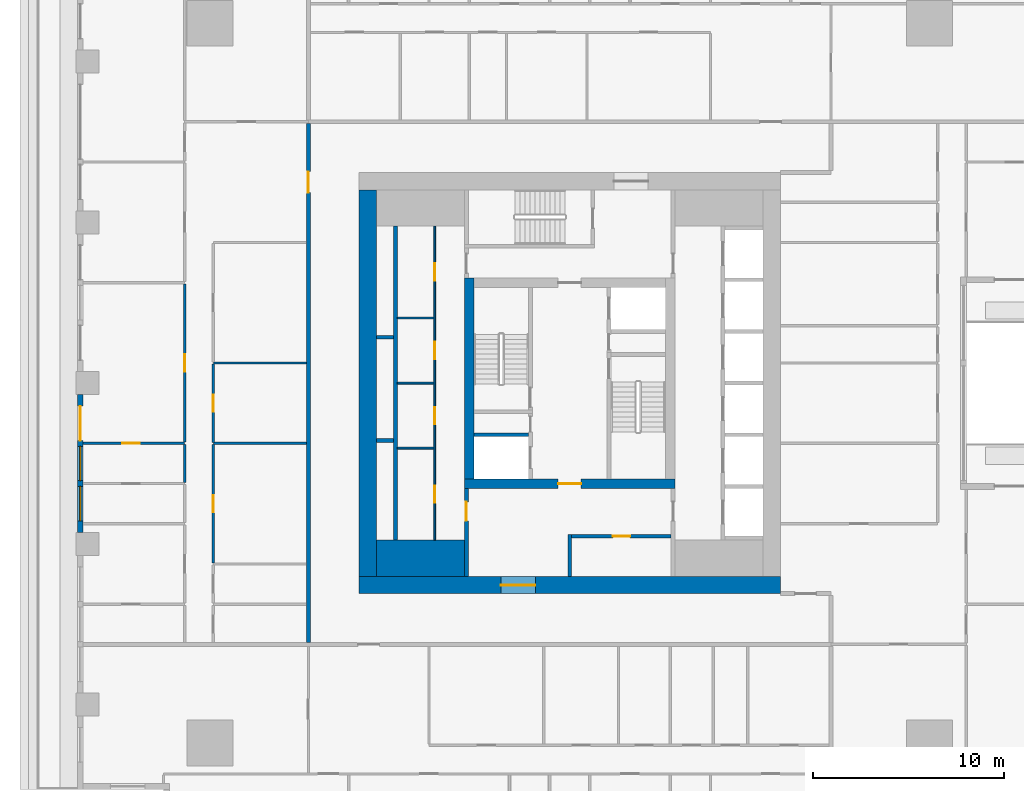
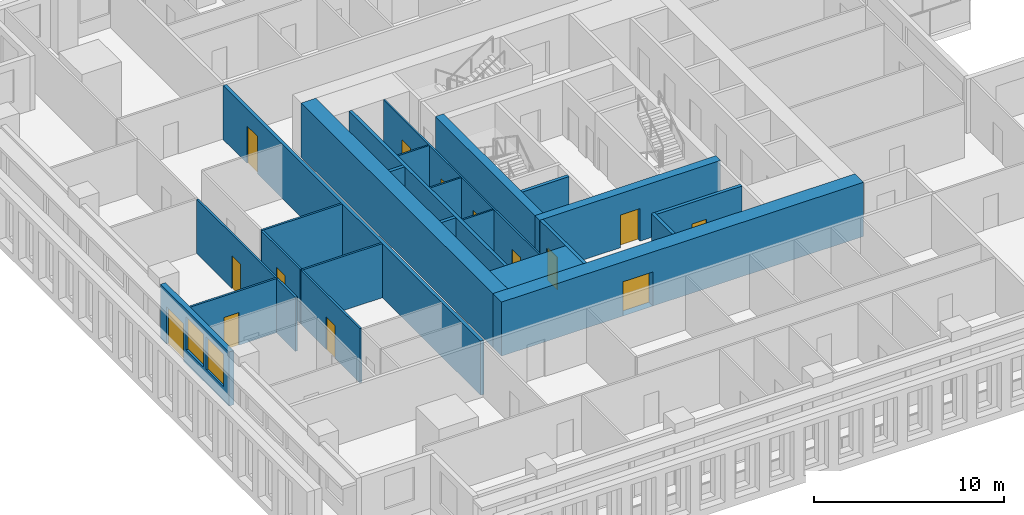
# One storey, part 3 of 15: 25 walls, 14 doors, 2 windows, 16 openings.
"""IFC4 building model written with IfcOpenShell, lengths in metres."""

from ifc_helpers import new_model, si_unit, direction, frame, frame_2d, origin, place, context, subcontext, project, spatial, rectangle, extrude, material, layer, layer_set, type_object, element, fill, save


model = new_model("IFC4")

# Units and contexts
model_context = context("Model", 3, precision=1e-05, world=origin(), true_north=direction((0.0, 1.0)))
body_context = subcontext(model_context, "Body", "Model", "MODEL_VIEW")
ifc_project = project(units=[si_unit("LENGTHUNIT", "METRE"), si_unit("AREAUNIT", "SQUARE_METRE"), si_unit("VOLUMEUNIT", "CUBIC_METRE"), si_unit("PLANEANGLEUNIT", "RADIAN"), si_unit("MASSUNIT", "GRAM", prefix="KILO")], contexts=[model_context])

# Site, building, storey
site_placement = place(None, origin())
site = spatial("IfcSite", under=ifc_project, at=site_placement, CompositionType="ELEMENT")
building_placement = place(site_placement, origin())
building = spatial("IfcBuilding", under=site, at=building_placement, Name="Khepri Terraces", CompositionType="ELEMENT")
storey_placement = place(building_placement, frame((0.0, 0.0, 196.199951171875)))
storey = spatial("IfcBuildingStorey", under=building, at=storey_placement, Name="L46", CompositionType="ELEMENT", Elevation=196.199951171875)

# Walls
ifc_material_1 = material(Name="Concrete C50/60", Category="concrete")
ifc_layer_1 = layer(ifc_material_1, 1.89990234375, Name="Concrete C50/60", Category="concrete")
ifc_layer_set_1 = layer_set([ifc_layer_1], Name="Concrete C50/60")
wall_type_1 = type_object("IfcWallType", Name="Core wall 1900 C50/60", PredefinedType="SHEAR", material=ifc_layer_set_1)
wall_1_placement = place(storey_placement, frame((-10.10009765625, -9.14990234375, 0.0), z_axis=(0.0, 0.0, 1.0), x_axis=(1.0, 0.0, 0.0)))
element("IfcWall", 1, at=wall_1_placement, inside=storey, type_object=wall_type_1, Name="Core wall PR01 L46", PredefinedType="SHEAR", context=body_context, shape_type="SweptSolid", body=[
    extrude(rectangle(XDim=4.60009765625, YDim=1.89990234375, at=frame_2d((2.300048828125, 0.0))), origin(), (0.0, 0.0, 1.0), 3.47998046875),
])
ifc_layer_2 = layer(ifc_material_1, 0.199951171875, Name="Concrete C50/60", Category="concrete")
ifc_layer_set_2 = layer_set([ifc_layer_2], Name="Concrete C50/60")
wall_type_2 = type_object("IfcWallType", Name="Core wall 200 C50/60", PredefinedType="SHEAR", material=ifc_layer_set_2)
wall_2_placement = place(storey_placement, frame((-9.10009765625, -8.199951171875, 0.0), z_axis=(0.0, 0.0, 1.0), x_axis=(0.0, 1.0, 0.0)))
element("IfcWall", 2, at=wall_2_placement, inside=storey, type_object=wall_type_2, Name="Core wall SH01 L46", PredefinedType="SHEAR", context=body_context, shape_type="SweptSolid", body=[
    extrude(rectangle(XDim=16.39990234375, YDim=0.199951171875, at=frame_2d((8.199951171875, 0.0))), origin(), (0.0, 0.0, 1.0), 3.47998046875),
])
wall_3_placement = place(storey_placement, frame((-10.10009765625, -3.0, 0.0), z_axis=(0.0, 0.0, 1.0), x_axis=(1.0, 0.0, 0.0)))
element("IfcWall", 3, at=wall_3_placement, inside=storey, type_object=wall_type_2, Name="Core wall SH06 L46", PredefinedType="SHEAR", context=body_context, shape_type="SweptSolid", body=[
    extrude(rectangle(XDim=0.900146484375, YDim=0.199951171875, at=frame_2d((0.4501953125, 0.0))), origin(), (0.0, 0.0, 1.0), 3.47998046875),
])
wall_4_placement = place(storey_placement, frame((-5.0, -2.699951171875, 0.0), z_axis=(0.0, 0.0, 1.0), x_axis=(1.0, 0.0, 0.0)))
element("IfcWall", 4, at=wall_4_placement, inside=storey, type_object=wall_type_2, Name="Core wall SH07 L46", PredefinedType="SHEAR", context=body_context, shape_type="SweptSolid", body=[
    extrude(rectangle(XDim=2.85009765625, YDim=0.199951171875, at=frame_2d((1.425048828125, 0.0))), origin(), (0.0, 0.0, 1.0), 3.47998046875),
])
wall_5_placement = place(storey_placement, frame((-10.10009765625, 2.39990234375, 0.0), z_axis=(0.0, 0.0, 1.0), x_axis=(1.0, 0.0, 0.0)))
element("IfcWall", 5, at=wall_5_placement, inside=storey, type_object=wall_type_2, Name="Core wall SH11 L46", PredefinedType="SHEAR", context=body_context, shape_type="SweptSolid", body=[
    extrude(rectangle(XDim=0.900146484375, YDim=0.199951171875, at=frame_2d((0.4501953125, 0.0))), origin(), (0.0, 0.0, 1.0), 3.47998046875),
])

# Wall, opening, door
ifc_layer_3 = layer(ifc_material_1, 0.5, Name="Concrete C50/60", Category="concrete")
ifc_layer_set_3 = layer_set([ifc_layer_3], Name="Concrete C50/60")
wall_type_3 = type_object("IfcWallType", Name="Core wall 500 C50/60", PredefinedType="SHEAR", material=ifc_layer_set_3)
wall_6_placement = place(storey_placement, frame((-5.5, -5.25, 0.0), z_axis=(0.0, 0.0, 1.0), x_axis=(1.0, 0.0, 0.0)))
wall_6 = element("IfcWall", 6, at=wall_6_placement, inside=storey, type_object=wall_type_3, Name="Core wall BX01 L46", PredefinedType="SHEAR", context=body_context, shape_type="SweptSolid", body=[
    extrude(rectangle(XDim=11.0, YDim=0.5, at=frame_2d((5.5, 0.0))), origin(), (0.0, 0.0, 1.0), 3.47998046875),
])
opening_1_placement = place(wall_6_placement, frame((4.89990234375, 0.0, 0.0)))
opening_1 = element("IfcOpeningElement", 7, at=opening_1_placement, cuts=wall_6, Name="Opening L46-C14", PredefinedType="OPENING", context=body_context, shape_type="SweptSolid", body=[
    extrude(rectangle(XDim=1.199951171875, YDim=2.10009765625, at=frame_2d((0.60009765625, 1.050048828125))), frame((0.0, 0.260009765625, 0.0), z_axis=(0.0, -1.0, 0.0), x_axis=(1.0, 0.0, 0.0)), (0.0, 0.0, 1.0), 0.52001953125),
])
ifc_material_2 = material(Name="Painted steel", Category="steel")
door_type_1 = type_object("IfcDoorType", Name="DR-CORE-FF-LOBBY-1200", OperationType="NOTDEFINED", PredefinedType="DOOR", material=ifc_material_2)
door_1_placement = place(opening_1_placement, origin())
door_1 = element("IfcDoor", 8, at=door_1_placement, inside=storey, type_object=door_type_1, Name="Firefighting lobby door L46-C14", OperationType="SINGLE_SWING_RIGHT", OverallHeight=2.10009765625, OverallWidth=1.199951171875, PredefinedType="DOOR", context=body_context, shape_type="SweptSolid", body=[
    extrude(rectangle(XDim=1.199951171875, YDim=2.10009765625, at=frame_2d((0.60009765625, 1.050048828125))), frame((0.0, 0.02490234375, 0.0), z_axis=(0.0, -1.0, 0.0), x_axis=(1.0, 0.0, 0.0)), (0.0, 0.0, 1.0), 0.050048828125),
])
fill(opening_1, door_1)

# Wall
wall_7_placement = place(storey_placement, frame((-5.25, -5.0, 0.0), z_axis=(0.0, 0.0, 1.0), x_axis=(0.0, 1.0, 0.0)))
element("IfcWall", 9, at=wall_7_placement, inside=storey, type_object=wall_type_3, Name="Core wall BX02 L46", PredefinedType="SHEAR", context=body_context, shape_type="SweptSolid", body=[
    extrude(rectangle(XDim=10.5, YDim=0.5, at=frame_2d((5.25, 0.0))), origin(), (0.0, 0.0, 1.0), 3.47998046875),
])

# Wall, opening, door
ifc_layer_4 = layer(ifc_material_1, 0.89990234375, Name="Concrete C50/60", Category="concrete")
ifc_layer_set_4 = layer_set([ifc_layer_4], Name="Concrete C50/60")
wall_type_4 = type_object("IfcWallType", Name="Core wall 900 C50/60", PredefinedType="SHEAR", material=ifc_layer_set_4)
wall_8_placement = place(storey_placement, frame((-11.0, -10.550048828125, 0.0), z_axis=(0.0, 0.0, 1.0), x_axis=(1.0, 0.0, 0.0)))
wall_8 = element("IfcWall", 10, at=wall_8_placement, inside=storey, type_object=wall_type_4, Name="Core wall OW-S L46", PredefinedType="SHEAR", context=body_context, shape_type="SweptSolid", body=[
    extrude(rectangle(XDim=22.0, YDim=0.89990234375, at=frame_2d((11.0, 0.0))), origin(), (0.0, 0.0, 1.0), 3.47998046875),
])
opening_2_placement = place(wall_8_placement, frame((7.39990234375, 0.0, 0.0)))
opening_2 = element("IfcOpeningElement", 11, at=opening_2_placement, cuts=wall_8, Name="Opening L46-C21", PredefinedType="OPENING", context=body_context, shape_type="SweptSolid", body=[
    extrude(rectangle(XDim=1.800048828125, YDim=2.199951171875, at=frame_2d((0.89990234375, 1.10009765625))), frame((0.0, 0.4599609375, 0.0), z_axis=(0.0, -1.0, 0.0), x_axis=(1.0, 0.0, 0.0)), (0.0, 0.0, 1.0), 0.919921875),
])
door_type_2 = type_object("IfcDoorType", Name="DR-CORE-ENTRANCE-1800", OperationType="NOTDEFINED", PredefinedType="DOOR", material=ifc_material_2)
door_2_placement = place(opening_2_placement, frame((1.800048828125, 0.0, 0.0), z_axis=(0.0, 0.0, 1.0), x_axis=(-1.0, 0.0, 0.0)))
door_2 = element("IfcDoor", 12, at=door_2_placement, inside=storey, type_object=door_type_2, Name="Core entrance door pair L46-C21", OperationType="DOUBLE_DOOR_SINGLE_SWING", OverallHeight=2.199951171875, OverallWidth=1.800048828125, PredefinedType="DOOR", context=body_context, shape_type="SweptSolid", body=[
    extrude(rectangle(XDim=1.800048828125, YDim=2.199951171875, at=frame_2d((0.89990234375, 1.10009765625))), frame((0.0, 0.02490234375, 0.0), z_axis=(0.0, -1.0, 0.0), x_axis=(1.0, 0.0, 0.0)), (0.0, 0.0, 1.0), 0.050048828125),
])
fill(opening_2, door_2)

# Wall
wall_9_placement = place(storey_placement, frame((-10.550048828125, -10.10009765625, 0.0), z_axis=(0.0, 0.0, 1.0), x_axis=(0.0, 1.0, 0.0)))
element("IfcWall", 13, at=wall_9_placement, inside=storey, type_object=wall_type_4, Name="Core wall OW-W L46", PredefinedType="SHEAR", context=body_context, shape_type="SweptSolid", body=[
    extrude(rectangle(XDim=20.2001953125, YDim=0.89990234375, at=frame_2d((10.10009765625, 0.0))), origin(), (0.0, 0.0, 1.0), 3.47998046875),
])

# Wall, openings, doors
ifc_material_3 = material(Name="Fire-rated gypsum board partition")
ifc_layer_5 = layer(ifc_material_3, 0.10009765625, Name="Fire-rated gypsum board partition")
ifc_layer_set_5 = layer_set([ifc_layer_5], Name="Fire-rated gypsum board partition")
wall_type_5 = type_object("IfcWallType", Name="WL-CORE-PART-100", PredefinedType="PARTITIONING", material=ifc_layer_set_5)
wall_10_placement = place(storey_placement, frame((-7.050048828125, -8.199951171875, 0.0), z_axis=(0.0, 0.0, 1.0), x_axis=(0.0, 1.0, 0.0)))
wall_10 = element("IfcWall", 14, at=wall_10_placement, inside=storey, type_object=wall_type_5, Name="Core partition PT04 L46", PredefinedType="PARTITIONING", context=body_context, shape_type="SweptSolid", body=[
    extrude(rectangle(XDim=16.39990234375, YDim=0.10009765625, at=frame_2d((8.199951171875, 0.0))), origin(), (0.0, 0.0, 1.0), 3.47998046875),
])
opening_3_placement = place(wall_10_placement, frame((1.949951171875, 0.0, 0.0)))
opening_3 = element("IfcOpeningElement", 15, at=opening_3_placement, cuts=wall_10, Name="Opening L46-C23", PredefinedType="OPENING", context=body_context, shape_type="SweptSolid", body=[
    extrude(rectangle(XDim=0.89990234375, YDim=2.10009765625, at=frame_2d((0.449951171875, 1.050048828125))), frame((0.0, 0.06005859375, 0.0), z_axis=(0.0, -1.0, 0.0), x_axis=(1.0, 0.0, 0.0)), (0.0, 0.0, 1.0), 0.1201171875),
])
opening_4_placement = place(wall_10_placement, frame((6.050048828125, 0.0, 0.0)))
opening_4 = element("IfcOpeningElement", 16, at=opening_4_placement, cuts=wall_10, Name="Opening L46-C24", PredefinedType="OPENING", context=body_context, shape_type="SweptSolid", body=[
    extrude(rectangle(XDim=0.89990234375, YDim=2.10009765625, at=frame_2d((0.449951171875, 1.050048828125))), frame((0.0, 0.06005859375, 0.0), z_axis=(0.0, -1.0, 0.0), x_axis=(1.0, 0.0, 0.0)), (0.0, 0.0, 1.0), 0.1201171875),
])
opening_5_placement = place(wall_10_placement, frame((9.449951171875, 0.0, 0.0)))
opening_5 = element("IfcOpeningElement", 17, at=opening_5_placement, cuts=wall_10, Name="Opening L46-C25", PredefinedType="OPENING", context=body_context, shape_type="SweptSolid", body=[
    extrude(rectangle(XDim=0.89990234375, YDim=2.10009765625, at=frame_2d((0.449951171875, 1.050048828125))), frame((0.0, 0.06005859375, 0.0), z_axis=(0.0, -1.0, 0.0), x_axis=(1.0, 0.0, 0.0)), (0.0, 0.0, 1.0), 0.1201171875),
])
opening_6_placement = place(wall_10_placement, frame((13.550048828125, 0.0, 0.0)))
opening_6 = element("IfcOpeningElement", 18, at=opening_6_placement, cuts=wall_10, Name="Opening L46-C26", PredefinedType="OPENING", context=body_context, shape_type="SweptSolid", body=[
    extrude(rectangle(XDim=0.89990234375, YDim=2.10009765625, at=frame_2d((0.449951171875, 1.050048828125))), frame((0.0, 0.06005859375, 0.0), z_axis=(0.0, -1.0, 0.0), x_axis=(1.0, 0.0, 0.0)), (0.0, 0.0, 1.0), 0.1201171875),
])
door_type_3 = type_object("IfcDoorType", Name="DR-CORE-SERVICE-900", OperationType="NOTDEFINED", PredefinedType="DOOR", material=ifc_material_2)
door_3_placement = place(opening_3_placement, origin())
door_3 = element("IfcDoor", 19, at=door_3_placement, inside=storey, type_object=door_type_3, Name="Service room door L46-C23", OperationType="SINGLE_SWING_LEFT", OverallHeight=2.10009765625, OverallWidth=0.89990234375, PredefinedType="DOOR", context=body_context, shape_type="SweptSolid", body=[
    extrude(rectangle(XDim=0.89990234375, YDim=2.10009765625, at=frame_2d((0.449951171875, 1.050048828125))), frame((0.0, 0.02490234375, 0.0), z_axis=(0.0, -1.0, 0.0), x_axis=(1.0, 0.0, 0.0)), (0.0, 0.0, 1.0), 0.050048828125),
])
fill(opening_3, door_3)
door_4_placement = place(opening_4_placement, origin())
door_4 = element("IfcDoor", 20, at=door_4_placement, inside=storey, type_object=door_type_3, Name="Service room door L46-C24", OperationType="SINGLE_SWING_LEFT", OverallHeight=2.10009765625, OverallWidth=0.89990234375, PredefinedType="DOOR", context=body_context, shape_type="SweptSolid", body=[
    extrude(rectangle(XDim=0.89990234375, YDim=2.10009765625, at=frame_2d((0.449951171875, 1.050048828125))), frame((0.0, 0.02490234375, 0.0), z_axis=(0.0, -1.0, 0.0), x_axis=(1.0, 0.0, 0.0)), (0.0, 0.0, 1.0), 0.050048828125),
])
fill(opening_4, door_4)
door_5_placement = place(opening_5_placement, origin())
door_5 = element("IfcDoor", 21, at=door_5_placement, inside=storey, type_object=door_type_3, Name="Service room door L46-C25", OperationType="SINGLE_SWING_RIGHT", OverallHeight=2.10009765625, OverallWidth=0.89990234375, PredefinedType="DOOR", context=body_context, shape_type="SweptSolid", body=[
    extrude(rectangle(XDim=0.89990234375, YDim=2.10009765625, at=frame_2d((0.449951171875, 1.050048828125))), frame((0.0, 0.02490234375, 0.0), z_axis=(0.0, -1.0, 0.0), x_axis=(1.0, 0.0, 0.0)), (0.0, 0.0, 1.0), 0.050048828125),
])
fill(opening_5, door_5)
door_6_placement = place(opening_6_placement, origin())
door_6 = element("IfcDoor", 22, at=door_6_placement, inside=storey, type_object=door_type_3, Name="Service room door L46-C26", OperationType="SINGLE_SWING_RIGHT", OverallHeight=2.10009765625, OverallWidth=0.89990234375, PredefinedType="DOOR", context=body_context, shape_type="SweptSolid", body=[
    extrude(rectangle(XDim=0.89990234375, YDim=2.10009765625, at=frame_2d((0.449951171875, 1.050048828125))), frame((0.0, 0.02490234375, 0.0), z_axis=(0.0, -1.0, 0.0), x_axis=(1.0, 0.0, 0.0)), (0.0, 0.0, 1.0), 0.050048828125),
])
fill(opening_6, door_6)

# Walls
for number, where, z_axis, x_axis, name in (
    (23, (-9.0, -3.39990234375, 0.0), (0.0, 0.0, 1.0), (1.0, 0.0, 0.0), "Core partition PT06 L46"),
    (24, (-9.0, 0.0, 0.0), (0.0, 0.0, 1.0), (1.0, 0.0, 0.0), "Core partition PT07 L46"),
    (25, (-9.0, 3.39990234375, 0.0), (0.0, 0.0, 1.0), (1.0, 0.0, 0.0), "Core partition PT08 L46"),
):
    element("IfcWall", number, at=place(storey_placement, frame(where, z_axis=z_axis, x_axis=x_axis)), inside=storey, type_object=wall_type_5, Name=name, PredefinedType="PARTITIONING", context=body_context, shape_type="SweptSolid", body=[
        extrude(rectangle(XDim=1.89990234375, YDim=0.10009765625, at=frame_2d((0.949951171875, 0.0))), origin(), (0.0, 0.0, 1.0), 3.47998046875),
    ])

# Wall, opening, door
ifc_layer_6 = layer(ifc_material_3, 0.199951171875, Name="Fire-rated gypsum board partition")
ifc_layer_set_6 = layer_set([ifc_layer_6], Name="Fire-rated gypsum board partition")
wall_type_6 = type_object("IfcWallType", Name="WL-CORE-PART-200", PredefinedType="PARTITIONING", material=ifc_layer_set_6)
wall_11_placement = place(storey_placement, frame((-5.39990234375, -10.10009765625, 0.0), z_axis=(0.0, 0.0, 1.0), x_axis=(0.0, 1.0, 0.0)))
wall_11 = element("IfcWall", 26, at=wall_11_placement, inside=storey, type_object=wall_type_6, Name="Core partition PT01 L46", PredefinedType="PARTITIONING", context=body_context, shape_type="SweptSolid", body=[
    extrude(rectangle(XDim=4.60009765625, YDim=0.199951171875, at=frame_2d((2.300048828125, 0.0))), origin(), (0.0, 0.0, 1.0), 3.47998046875),
])
opening_7_placement = place(wall_11_placement, frame((2.89990234375, 0.0, 0.0)))
opening_7 = element("IfcOpeningElement", 27, at=opening_7_placement, cuts=wall_11, Name="Opening L46-C18", PredefinedType="OPENING", context=body_context, shape_type="SweptSolid", body=[
    extrude(rectangle(XDim=1.0, YDim=2.10009765625, at=frame_2d((0.5, 1.050048828125))), frame((0.0, 0.10986328125, 0.0), z_axis=(0.0, -1.0, 0.0), x_axis=(1.0, 0.0, 0.0)), (0.0, 0.0, 1.0), 0.219970703125),
])
door_type_4 = type_object("IfcDoorType", Name="DR-CORE-LOBBY-1000", OperationType="NOTDEFINED", PredefinedType="DOOR", material=ifc_material_2)
door_7_placement = place(opening_7_placement, frame((1.0, 0.0, 0.0), z_axis=(0.0, 0.0, 1.0), x_axis=(-1.0, 0.0, 0.0)))
door_7 = element("IfcDoor", 28, at=door_7_placement, inside=storey, type_object=door_type_4, Name="Lobby door L46-C18", OperationType="SINGLE_SWING_LEFT", OverallHeight=2.10009765625, OverallWidth=1.0, PredefinedType="DOOR", context=body_context, shape_type="SweptSolid", body=[
    extrude(rectangle(XDim=1.0, YDim=2.10009765625, at=frame_2d((0.5, 1.050048828125))), frame((0.0, 0.02490234375, 0.0), z_axis=(0.0, -1.0, 0.0), x_axis=(1.0, 0.0, 0.0)), (0.0, 0.0, 1.0), 0.050048828125),
])
fill(opening_7, door_7)

# Wall
wall_12_placement = place(storey_placement, frame((0.0, -10.10009765625, 0.0), z_axis=(0.0, 0.0, 1.0), x_axis=(0.0, 1.0, 0.0)))
element("IfcWall", 29, at=wall_12_placement, inside=storey, type_object=wall_type_6, Name="Core partition PT02 L46", PredefinedType="PARTITIONING", context=body_context, shape_type="SweptSolid", body=[
    extrude(rectangle(XDim=2.2001953125, YDim=0.199951171875, at=frame_2d((1.10009765625, 0.0))), origin(), (0.0, 0.0, 1.0), 3.47998046875),
])

# Wall, opening, door
wall_13_placement = place(storey_placement, frame((0.10009765625, -8.0, 0.0), z_axis=(0.0, 0.0, 1.0), x_axis=(1.0, 0.0, 0.0)))
wall_13 = element("IfcWall", 30, at=wall_13_placement, inside=storey, type_object=wall_type_6, Name="Core partition PT05 L46", PredefinedType="PARTITIONING", context=body_context, shape_type="SweptSolid", body=[
    extrude(rectangle(XDim=5.199951171875, YDim=0.199951171875, at=frame_2d((2.60009765625, 0.0))), origin(), (0.0, 0.0, 1.0), 3.47998046875),
])
opening_8_placement = place(wall_13_placement, frame((2.14990234375, 0.0, 0.0)))
opening_8 = element("IfcOpeningElement", 31, at=opening_8_placement, cuts=wall_13, Name="Opening L46-C22", PredefinedType="OPENING", context=body_context, shape_type="SweptSolid", body=[
    extrude(rectangle(XDim=0.89990234375, YDim=2.10009765625, at=frame_2d((0.449951171875, 1.050048828125))), frame((0.0, 0.10986328125, 0.0), z_axis=(0.0, -1.0, 0.0), x_axis=(1.0, 0.0, 0.0)), (0.0, 0.0, 1.0), 0.219970703125),
])
door_8_placement = place(opening_8_placement, frame((0.89990234375, 0.0, 0.0), z_axis=(0.0, 0.0, 1.0), x_axis=(-1.0, 0.0, 0.0)))
door_8 = element("IfcDoor", 32, at=door_8_placement, inside=storey, type_object=door_type_3, Name="Service room door L46-C22", OperationType="SINGLE_SWING_LEFT", OverallHeight=2.10009765625, OverallWidth=0.89990234375, PredefinedType="DOOR", context=body_context, shape_type="SweptSolid", body=[
    extrude(rectangle(XDim=0.89990234375, YDim=2.10009765625, at=frame_2d((0.449951171875, 1.050048828125))), frame((0.0, 0.02490234375, 0.0), z_axis=(0.0, -1.0, 0.0), x_axis=(1.0, 0.0, 0.0)), (0.0, 0.0, 1.0), 0.050048828125),
])
fill(opening_8, door_8)

ifc_material_4 = material(Name="Fire-rated gypsum plasterboard partition, mineral wool")
ifc_layer_7 = layer(ifc_material_4, 0.199951171875, Name="Fire-rated gypsum plasterboard partition, mineral wool")
ifc_layer_set_7 = layer_set([ifc_layer_7], Name="Fire-rated gypsum plasterboard partition, mineral wool")
wall_type_7 = type_object("IfcWallType", Name="WL-CORR-200", PredefinedType="PARTITIONING", material=ifc_layer_set_7)
wall_14_placement = place(storey_placement, frame((-13.64990234375, -13.550048828125, 0.0), z_axis=(0.0, 0.0, 1.0), x_axis=(0.0, 1.0, 0.0)))
wall_14 = element("IfcWall", 33, at=wall_14_placement, inside=storey, type_object=wall_type_7, Name="Partition P-025 L46", PredefinedType="PARTITIONING", context=body_context, shape_type="SweptSolid", body=[
    extrude(rectangle(XDim=27.10009765625, YDim=0.199951171875, at=frame_2d((13.550048828125, 0.0))), origin(), (0.0, 0.0, 1.0), 3.47998046875),
])
opening_9_placement = place(wall_14_placement, frame((23.5, 0.0, 0.0)))
opening_9 = element("IfcOpeningElement", 34, at=opening_9_placement, cuts=wall_14, Name="Opening D1", PredefinedType="OPENING", context=body_context, shape_type="SweptSolid", body=[
    extrude(rectangle(XDim=1.10009765625, YDim=2.39990234375, at=frame_2d((0.550048828125, 1.199951171875))), frame((0.0, 0.10986328125, 0.0), z_axis=(0.0, -1.0, 0.0), x_axis=(1.0, 0.0, 0.0)), (0.0, 0.0, 1.0), 0.219970703125),
])
ifc_material_5 = material(Name="Solid-core timber door leaf, flat entrance door", Category="wood")
door_type_5 = type_object("IfcDoorType", Name="DR-ENT-1100", OperationType="NOTDEFINED", PredefinedType="DOOR", material=ifc_material_5)
door_9_placement = place(opening_9_placement, origin())
door_9 = element("IfcDoor", 35, at=door_9_placement, inside=storey, type_object=door_type_5, Name="Flat D1 entrance door", OperationType="SINGLE_SWING_RIGHT", OverallHeight=2.39990234375, OverallWidth=1.10009765625, PredefinedType="DOOR", context=body_context, shape_type="SweptSolid", body=[
    extrude(rectangle(XDim=1.10009765625, YDim=2.39990234375, at=frame_2d((0.550048828125, 1.199951171875))), frame((0.0, 0.02490234375, 0.0), z_axis=(0.0, -1.0, 0.0), x_axis=(1.0, 0.0, 0.0)), (0.0, 0.0, 1.0), 0.050048828125),
])
fill(opening_9, door_9)

# Wall, openings, door, windows
ifc_material_6 = material(Name="Precast concrete C50/60 warm stone", Category="masonry")
ifc_layer_8 = layer(ifc_material_6, 0.300048828125, Name="Precast concrete C50/60 warm stone", Category="masonry")
ifc_layer_set_8 = layer_set([ifc_layer_8], Name="Precast concrete C50/60 warm stone")
wall_type_8 = type_object("IfcWallType", Name="WL-EXT-PRECAST-300", PredefinedType="STANDARD", material=ifc_layer_set_8)
wall_15_placement = place(storey_placement, frame((-25.570068359375, -0.60009765625, 0.0), z_axis=(0.0, 0.0, 1.0), x_axis=(0.0, -1.0, 0.0)))
wall_15 = element("IfcWall", 36, at=wall_15_placement, inside=storey, type_object=wall_type_8, Name="External wall L46 W", PredefinedType="STANDARD", context=body_context, shape_type="SweptSolid", body=[
    extrude(rectangle(XDim=7.199951171875, YDim=0.300048828125, at=frame_2d((3.60009765625, 0.0))), origin(), (0.0, 0.0, 1.0), 3.47998046875),
])
opening_10_placement = place(wall_15_placement, frame((0.60009765625, 0.0, 0.0)))
opening_10 = element("IfcOpeningElement", 37, at=opening_10_placement, cuts=wall_15, Name="Opening ED-L46-16", PredefinedType="OPENING", context=body_context, shape_type="SweptSolid", body=[
    extrude(rectangle(XDim=1.800048828125, YDim=2.39990234375, at=frame_2d((0.89990234375, 1.199951171875))), frame((0.0, 0.16015625, 0.0), z_axis=(0.0, -1.0, 0.0), x_axis=(1.0, 0.0, 0.0)), (0.0, 0.0, 1.0), 0.320068359375),
])
opening_11_placement = place(wall_15_placement, frame((2.699951171875, 0.0, 0.89990234375)))
opening_11 = element("IfcOpeningElement", 38, at=opening_11_placement, cuts=wall_15, Name="Opening W1", PredefinedType="OPENING", context=body_context, shape_type="SweptSolid", body=[
    extrude(rectangle(XDim=1.800048828125, YDim=2.10009765625, at=frame_2d((0.89990234375, 1.050048828125))), frame((0.0, 0.16015625, 0.0), z_axis=(0.0, -1.0, 0.0), x_axis=(1.0, 0.0, 0.0)), (0.0, 0.0, 1.0), 0.320068359375),
])
opening_12_placement = place(wall_15_placement, frame((4.800048828125, 0.0, 0.89990234375)))
opening_12 = element("IfcOpeningElement", 39, at=opening_12_placement, cuts=wall_15, Name="Opening W1", PredefinedType="OPENING", context=body_context, shape_type="SweptSolid", body=[
    extrude(rectangle(XDim=1.800048828125, YDim=2.10009765625, at=frame_2d((0.89990234375, 1.050048828125))), frame((0.0, 0.16015625, 0.0), z_axis=(0.0, -1.0, 0.0), x_axis=(1.0, 0.0, 0.0)), (0.0, 0.0, 1.0), 0.320068359375),
])
ifc_material_7 = material(Name="Anodised aluminium bronze glazed door", Category="aluminium")
door_type_6 = type_object("IfcDoorType", Name="DR-BAL-SLIDE-1800x2400", OperationType="NOTDEFINED", PredefinedType="DOOR", material=ifc_material_7)
door_10_placement = place(opening_10_placement, origin())
door_10 = element("IfcDoor", 40, at=door_10_placement, inside=storey, type_object=door_type_6, Name="Balcony door L46 W", OperationType="SLIDING_TO_LEFT", OverallHeight=2.39990234375, OverallWidth=1.800048828125, PredefinedType="DOOR", context=body_context, shape_type="SweptSolid", body=[
    extrude(rectangle(XDim=1.800048828125, YDim=2.39990234375, at=frame_2d((0.89990234375, 1.199951171875))), frame((0.0, 0.02490234375, 0.0), z_axis=(0.0, -1.0, 0.0), x_axis=(1.0, 0.0, 0.0)), (0.0, 0.0, 1.0), 0.050048828125),
])
fill(opening_10, door_10)
ifc_material_8 = material(Name="Clear glass", Category="glass")
window_type = type_object("IfcWindowType", Name="WIN-RES-1800x2100", PartitioningType="SINGLE_PANEL", PredefinedType="WINDOW", material=ifc_material_8)
window_1_placement = place(opening_11_placement, origin())
window_1 = element("IfcWindow", 41, at=window_1_placement, inside=storey, type_object=window_type, Name="Window L46 W", OverallHeight=2.10009765625, OverallWidth=1.800048828125, PartitioningType="SINGLE_PANEL", PredefinedType="WINDOW", context=body_context, shape_type="SweptSolid", body=[
    extrude(rectangle(XDim=1.800048828125, YDim=2.10009765625, at=frame_2d((0.89990234375, 1.050048828125))), frame((0.0, 0.030029296875, 0.0), z_axis=(0.0, -1.0, 0.0), x_axis=(1.0, 0.0, 0.0)), (0.0, 0.0, 1.0), 0.06005859375),
])
fill(opening_11, window_1)
window_2_placement = place(opening_12_placement, origin())
window_2 = element("IfcWindow", 42, at=window_2_placement, inside=storey, type_object=window_type, Name="Window L46 W", OverallHeight=2.10009765625, OverallWidth=1.800048828125, PartitioningType="SINGLE_PANEL", PredefinedType="WINDOW", context=body_context, shape_type="SweptSolid", body=[
    extrude(rectangle(XDim=1.800048828125, YDim=2.10009765625, at=frame_2d((0.89990234375, 1.050048828125))), frame((0.0, 0.030029296875, 0.0), z_axis=(0.0, -1.0, 0.0), x_axis=(1.0, 0.0, 0.0)), (0.0, 0.0, 1.0), 0.06005859375),
])
fill(opening_12, window_2)

# Wall, opening, door
ifc_material_9 = material(Name="Gypsum plasterboard partition")
ifc_layer_9 = layer(ifc_material_9, 0.1201171875, Name="Gypsum plasterboard partition")
ifc_layer_set_9 = layer_set([ifc_layer_9], Name="Gypsum plasterboard partition")
wall_type_9 = type_object("IfcWallType", Name="WL-PART-120", PredefinedType="PARTITIONING", material=ifc_layer_set_9)
wall_16_placement = place(storey_placement, frame((-18.6201171875, -9.389892578125, 0.0), z_axis=(0.0, 0.0, 1.0), x_axis=(0.0, 1.0, 0.0)))
wall_16 = element("IfcWall", 43, at=wall_16_placement, inside=storey, type_object=wall_type_9, Name="Partition P-035 L46", PredefinedType="PARTITIONING", context=body_context, shape_type="SweptSolid", body=[
    extrude(rectangle(XDim=6.179931640625, YDim=0.1201171875, at=frame_2d((3.08984375, 0.0))), origin(), (0.0, 0.0, 1.0), 3.47998046875),
])
opening_13_placement = place(wall_16_placement, frame((2.639892578125, 0.0, 0.0)))
opening_13 = element("IfcOpeningElement", 44, at=opening_13_placement, cuts=wall_16, Name="Opening D3", PredefinedType="OPENING", context=body_context, shape_type="SweptSolid", body=[
    extrude(rectangle(XDim=0.89990234375, YDim=2.10009765625, at=frame_2d((0.449951171875, 1.050048828125))), frame((0.0, 0.070068359375, 0.0), z_axis=(0.0, -1.0, 0.0), x_axis=(1.0, 0.0, 0.0)), (0.0, 0.0, 1.0), 0.14013671875),
])
ifc_material_10 = material(Name="Timber door leaf", Category="wood")
door_type_7 = type_object("IfcDoorType", Name="DR-INT-900", OperationType="NOTDEFINED", PredefinedType="DOOR", material=ifc_material_10)
door_11_placement = place(opening_13_placement, frame((0.89990234375, 0.0, 0.0), z_axis=(0.0, 0.0, 1.0), x_axis=(-1.0, 0.0, 0.0)))
door_11 = element("IfcDoor", 45, at=door_11_placement, inside=storey, type_object=door_type_7, Name="Door Staff Bedroom", OperationType="SINGLE_SWING_LEFT", OverallHeight=2.10009765625, OverallWidth=0.89990234375, PredefinedType="DOOR", context=body_context, shape_type="SweptSolid", body=[
    extrude(rectangle(XDim=0.89990234375, YDim=2.10009765625, at=frame_2d((0.449951171875, 1.050048828125))), frame((0.0, 0.02490234375, 0.0), z_axis=(0.0, -1.0, 0.0), x_axis=(1.0, 0.0, 0.0)), (0.0, 0.0, 1.0), 0.050048828125),
])
fill(opening_13, door_11)

# Wall
wall_17_placement = place(storey_placement, frame((-20.1201171875, -5.18994140625, 0.0), z_axis=(0.0, 0.0, 1.0), x_axis=(0.0, 1.0, 0.0)))
element("IfcWall", 46, at=wall_17_placement, inside=storey, type_object=wall_type_9, Name="Partition P-041 L46", PredefinedType="PARTITIONING", context=body_context, shape_type="SweptSolid", body=[
    extrude(rectangle(XDim=1.97998046875, YDim=0.1201171875, at=frame_2d((0.989990234375, 0.0))), origin(), (0.0, 0.0, 1.0), 3.47998046875),
])

# Wall, opening, door
wall_18_placement = place(storey_placement, frame((-25.419921875, -3.14990234375, 0.0), z_axis=(0.0, 0.0, 1.0), x_axis=(1.0, 0.0, 0.0)))
wall_18 = element("IfcWall", 47, at=wall_18_placement, inside=storey, type_object=wall_type_9, Name="Partition P-042 L46", PredefinedType="PARTITIONING", context=body_context, shape_type="SweptSolid", body=[
    extrude(rectangle(XDim=5.2998046875, YDim=0.1201171875, at=frame_2d((2.64990234375, 0.0))), origin(), (0.0, 0.0, 1.0), 3.47998046875),
])
opening_14_placement = place(wall_18_placement, frame((2.050048828125, 0.0, 0.0)))
opening_14 = element("IfcOpeningElement", 48, at=opening_14_placement, cuts=wall_18, Name="Opening D3", PredefinedType="OPENING", context=body_context, shape_type="SweptSolid", body=[
    extrude(rectangle(XDim=0.89990234375, YDim=2.10009765625, at=frame_2d((0.449951171875, 1.050048828125))), frame((0.0, 0.070068359375, 0.0), z_axis=(0.0, -1.0, 0.0), x_axis=(1.0, 0.0, 0.0)), (0.0, 0.0, 1.0), 0.14013671875),
])
door_12_placement = place(opening_14_placement, frame((0.89990234375, 0.0, 0.0), z_axis=(0.0, 0.0, 1.0), x_axis=(-1.0, 0.0, 0.0)))
door_12 = element("IfcDoor", 49, at=door_12_placement, inside=storey, type_object=door_type_7, Name="Door Dressing Room", OperationType="SINGLE_SWING_RIGHT", OverallHeight=2.10009765625, OverallWidth=0.89990234375, PredefinedType="DOOR", context=body_context, shape_type="SweptSolid", body=[
    extrude(rectangle(XDim=0.89990234375, YDim=2.10009765625, at=frame_2d((0.449951171875, 1.050048828125))), frame((0.0, 0.02490234375, 0.0), z_axis=(0.0, -1.0, 0.0), x_axis=(1.0, 0.0, 0.0)), (0.0, 0.0, 1.0), 0.050048828125),
])
fill(opening_14, door_12)

# Wall
wall_19_placement = place(storey_placement, frame((-18.6201171875, -3.14990234375, 0.0), z_axis=(0.0, 0.0, 1.0), x_axis=(1.0, 0.0, 0.0)))
element("IfcWall", 50, at=wall_19_placement, inside=storey, type_object=wall_type_9, Name="Partition P-043 L46", PredefinedType="PARTITIONING", context=body_context, shape_type="SweptSolid", body=[
    extrude(rectangle(XDim=4.8701171875, YDim=0.1201171875, at=frame_2d((2.43505859375, 0.0))), origin(), (0.0, 0.0, 1.0), 3.47998046875),
])

# Wall, opening, door
wall_20_placement = place(storey_placement, frame((-20.1201171875, -3.090087890625, 0.0), z_axis=(0.0, 0.0, 1.0), x_axis=(0.0, 1.0, 0.0)))
wall_20 = element("IfcWall", 51, at=wall_20_placement, inside=storey, type_object=wall_type_9, Name="Partition P-045 L46", PredefinedType="PARTITIONING", context=body_context, shape_type="SweptSolid", body=[
    extrude(rectangle(XDim=8.280029296875, YDim=0.1201171875, at=frame_2d((4.14013671875, 0.0))), origin(), (0.0, 0.0, 1.0), 3.47998046875),
])
opening_15_placement = place(wall_20_placement, frame((3.68994140625, 0.0, 0.0)))
opening_15 = element("IfcOpeningElement", 52, at=opening_15_placement, cuts=wall_20, Name="Opening D3", PredefinedType="OPENING", context=body_context, shape_type="SweptSolid", body=[
    extrude(rectangle(XDim=0.89990234375, YDim=2.10009765625, at=frame_2d((0.449951171875, 1.050048828125))), frame((0.0, 0.070068359375, 0.0), z_axis=(0.0, -1.0, 0.0), x_axis=(1.0, 0.0, 0.0)), (0.0, 0.0, 1.0), 0.14013671875),
])
door_13_placement = place(opening_15_placement, origin())
door_13 = element("IfcDoor", 53, at=door_13_placement, inside=storey, type_object=door_type_7, Name="Door Master Bedroom", OperationType="SINGLE_SWING_LEFT", OverallHeight=2.10009765625, OverallWidth=0.89990234375, PredefinedType="DOOR", context=body_context, shape_type="SweptSolid", body=[
    extrude(rectangle(XDim=0.89990234375, YDim=2.10009765625, at=frame_2d((0.449951171875, 1.050048828125))), frame((0.0, 0.02490234375, 0.0), z_axis=(0.0, -1.0, 0.0), x_axis=(1.0, 0.0, 0.0)), (0.0, 0.0, 1.0), 0.050048828125),
])
fill(opening_15, door_13)

wall_21_placement = place(storey_placement, frame((-18.6201171875, -3.090087890625, 0.0), z_axis=(0.0, 0.0, 1.0), x_axis=(0.0, 1.0, 0.0)))
wall_21 = element("IfcWall", 54, at=wall_21_placement, inside=storey, type_object=wall_type_9, Name="Partition P-046 L46", PredefinedType="PARTITIONING", context=body_context, shape_type="SweptSolid", body=[
    extrude(rectangle(XDim=4.080078125, YDim=0.1201171875, at=frame_2d((2.0400390625, 0.0))), origin(), (0.0, 0.0, 1.0), 3.47998046875),
])
opening_16_placement = place(wall_21_placement, frame((1.590087890625, 0.0, 0.0)))
opening_16 = element("IfcOpeningElement", 55, at=opening_16_placement, cuts=wall_21, Name="Opening D3", PredefinedType="OPENING", context=body_context, shape_type="SweptSolid", body=[
    extrude(rectangle(XDim=0.89990234375, YDim=2.10009765625, at=frame_2d((0.449951171875, 1.050048828125))), frame((0.0, 0.070068359375, 0.0), z_axis=(0.0, -1.0, 0.0), x_axis=(1.0, 0.0, 0.0)), (0.0, 0.0, 1.0), 0.14013671875),
])
door_14_placement = place(opening_16_placement, frame((0.89990234375, 0.0, 0.0), z_axis=(0.0, 0.0, 1.0), x_axis=(-1.0, 0.0, 0.0)))
door_14 = element("IfcDoor", 56, at=door_14_placement, inside=storey, type_object=door_type_7, Name="Door Service Kitchen", OperationType="SINGLE_SWING_LEFT", OverallHeight=2.10009765625, OverallWidth=0.89990234375, PredefinedType="DOOR", context=body_context, shape_type="SweptSolid", body=[
    extrude(rectangle(XDim=0.89990234375, YDim=2.10009765625, at=frame_2d((0.449951171875, 1.050048828125))), frame((0.0, 0.02490234375, 0.0), z_axis=(0.0, -1.0, 0.0), x_axis=(1.0, 0.0, 0.0)), (0.0, 0.0, 1.0), 0.050048828125),
])
fill(opening_16, door_14)

# Wall
wall_22_placement = place(storey_placement, frame((-18.6201171875, 1.050048828125, 0.0), z_axis=(0.0, 0.0, 1.0), x_axis=(1.0, 0.0, 0.0)))
element("IfcWall", 57, at=wall_22_placement, inside=storey, type_object=wall_type_9, Name="Partition P-048 L46", PredefinedType="PARTITIONING", context=body_context, shape_type="SweptSolid", body=[
    extrude(rectangle(XDim=4.8701171875, YDim=0.1201171875, at=frame_2d((2.43505859375, 0.0))), origin(), (0.0, 0.0, 1.0), 3.47998046875),
])

save(model, "model.ifc")
